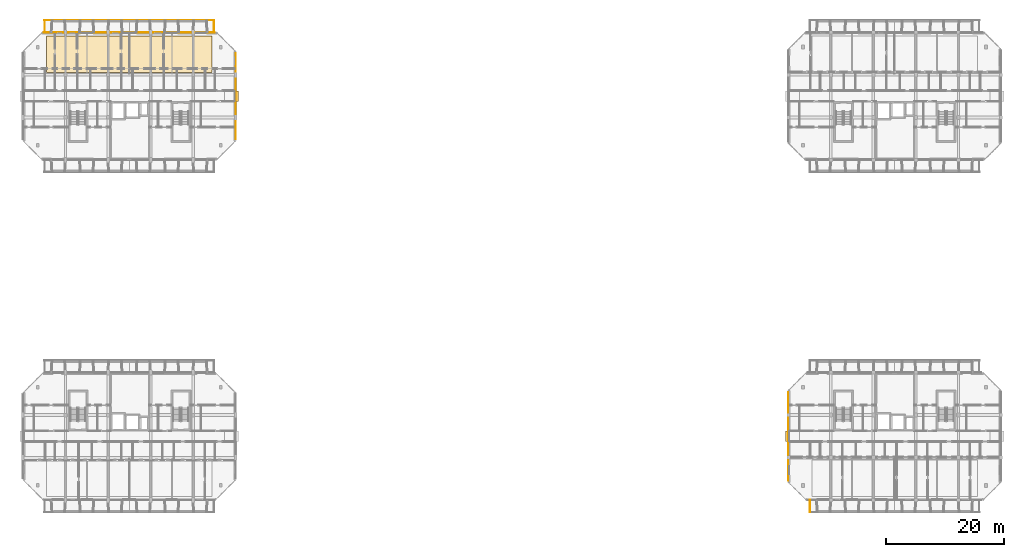
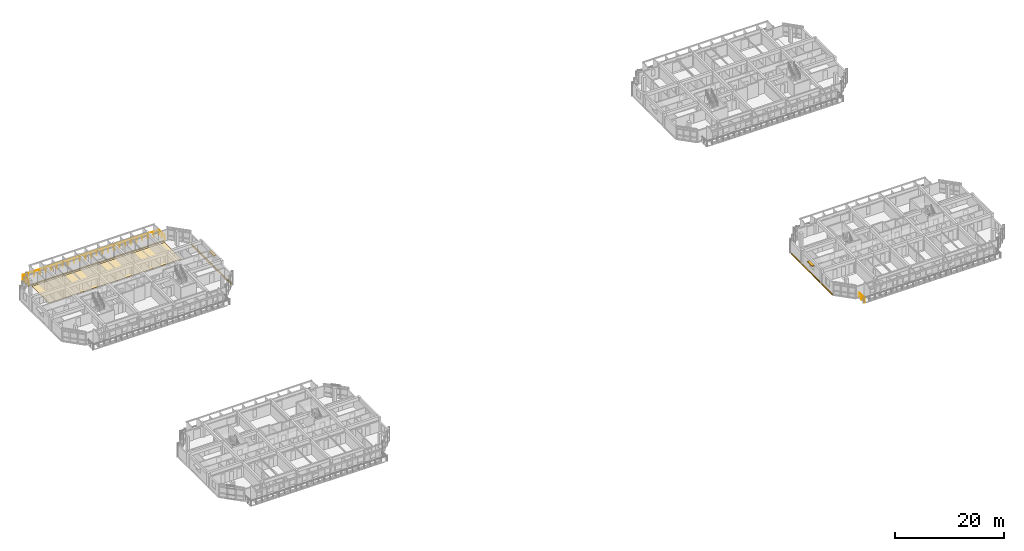
# One storey, part 39 of 44: 4 coverings, 4 railings, 2 shading devices.
"""IFC4 building model written with IfcOpenShell, lengths in metres."""

from ifc_helpers import new_model, si_unit, direction, frame, origin, origin_2d, place, context, subcontext, project, spatial, polyline, rectangle, circle, outline, extrude, material, layer, layer_set, type_object, element, save


model = new_model("IFC4")

# Units and contexts
model_context = context("Model", 3, precision=1e-05, world=origin(), true_north=direction((0.0, 1.0)))
body_context = subcontext(model_context, "Body", "Model", "MODEL_VIEW")
ifc_project = project(units=[si_unit("LENGTHUNIT", "METRE"), si_unit("AREAUNIT", "SQUARE_METRE"), si_unit("VOLUMEUNIT", "CUBIC_METRE"), si_unit("PLANEANGLEUNIT", "RADIAN"), si_unit("MASSUNIT", "GRAM", prefix="KILO")], contexts=[model_context])

# Site, building, storey
site_placement = place(None, origin())
site = spatial("IfcSite", under=ifc_project, at=site_placement, CompositionType="ELEMENT")
building_placement = place(site_placement, origin())
building = spatial("IfcBuilding", under=site, at=building_placement, Name="Ochrevale Crest", CompositionType="ELEMENT")
storey_placement = place(building_placement, frame((0.0, 0.0, 21.300048828125)))
storey = spatial("IfcBuildingStorey", under=building, at=storey_placement, Name="L06", CompositionType="ELEMENT", Elevation=21.300048828125)

# Coverings
ifc_material_1 = material(Name="Glazed terracotta rainscreen tile", Category="masonry")
ifc_layer_1 = layer(ifc_material_1, 0.048095703125)
ifc_layer_set_1 = layer_set([ifc_layer_1], Name="Glazed terracotta rainscreen tile")
covering_type_1 = type_object("IfcCoveringType", Name="COV-CLAD-TER", PredefinedType="CLADDING", material=ifc_layer_set_1)
covering_1_placement = place(storey_placement, frame((36.014404296875, 82.800048828125, -0.26025390625), z_axis=(0.0, 0.0, 1.0), x_axis=(0.0, 1.0, 0.0)))
element("IfcCovering", 1, at=covering_1_placement, inside=storey, type_object=covering_type_1, Name="Block B L06 terracotta slab-edge spandrel cladding", PredefinedType="CLADDING", context=body_context, shape_type="SweptSolid", body=[
    extrude(rectangle(XDim=14.60009765625, YDim=0.06005859375, at=origin_2d()), origin(), (0.0, 0.0, 1.0), 0.280029296875),
])
covering_2_placement = place(storey_placement, frame((18.0, 93.612548828125, -0.26025390625), z_axis=(0.0, 0.0, 1.0), x_axis=(-1.0, 0.0, 0.0)))
element("IfcCovering", 2, at=covering_2_placement, inside=storey, type_object=covering_type_1, Name="Block B L06 terracotta slab-edge spandrel cladding", PredefinedType="CLADDING", context=body_context, shape_type="SweptSolid", body=[
    extrude(rectangle(XDim=29.0, YDim=0.06005859375, at=origin_2d()), origin(), (0.0, 0.0, 1.0), 0.280029296875),
])
covering_3_placement = place(storey_placement, frame((129.58544921875, 25.199951171875, -0.26025390625), z_axis=(0.0, 0.0, 1.0), x_axis=(0.0, -1.0, 0.0)))
element("IfcCovering", 3, at=covering_3_placement, inside=storey, type_object=covering_type_1, Name="Block C L06 terracotta slab-edge spandrel cladding", PredefinedType="CLADDING", context=body_context, shape_type="SweptSolid", body=[
    extrude(rectangle(XDim=15.0, YDim=0.06005859375, at=origin_2d()), origin(), (0.0, 0.0, 1.0), 0.280029296875),
])
ifc_material_2 = material(Name="Engineered spotted-gum hardwood flooring", Category="wood")
ifc_layer_2 = layer(ifc_material_2, 0.02001953125)
ifc_layer_set_2 = layer_set([ifc_layer_2], Name="Engineered spotted-gum hardwood flooring")
covering_type_2 = type_object("IfcCoveringType", Name="COV-FLR-TIM", PredefinedType="FLOORING", material=ifc_layer_set_2)
covering_4_placement = place(storey_placement, origin())
element("IfcCovering", 4, at=covering_4_placement, inside=storey, type_object=covering_type_2, Name="Block B L06 spotted-gum apartment flooring", PredefinedType="FLOORING", context=body_context, shape_type="SweptSolid", body=[
    extrude(outline(polyline([(4.0, 86.800048828125), (32.0, 86.800048828125), (32.0, 93.0), (4.0, 93.0), (4.0, 86.800048828125)])), origin(), (0.0, 0.0, 1.0), 0.02001953125),
])

# Railings
ifc_material_3 = material(Name="Galvanised steel", Category="steel")
railing_type = type_object("IfcRailingType", Name="RL-BAL-1100", PredefinedType="BALUSTRADE", material=ifc_material_3)
railing_1_placement = place(storey_placement, frame((3.60009765625, 95.639892578125, 0.0)))
element("IfcRailing", 5, at=railing_1_placement, inside=storey, type_object=railing_type, Name="Block B L06 N balcony front balustrade", PredefinedType="BALUSTRADE", context=body_context, shape_type="SweptSolid", body=[
    extrude(circle(Radius=0.02392578125, at=origin_2d()), frame((0.0, 0.0, 1.0859375), z_axis=(1.0, 0.0, 0.0), x_axis=(0.0, 1.0, 0.0)), (0.0, 0.0, 1.0), 28.7998046875),
    extrude(circle(Radius=0.02099609375, at=origin_2d()), origin(), (0.0, 0.0, 1.0), 1.06201171875),
    extrude(circle(Radius=0.02099609375, at=origin_2d()), frame((1.199951171875, 0.0, 0.0)), (0.0, 0.0, 1.0), 1.06201171875),
    extrude(circle(Radius=0.02099609375, at=origin_2d()), frame((2.39990234375, 0.0, 0.0)), (0.0, 0.0, 1.0), 1.06201171875),
    extrude(circle(Radius=0.02099609375, at=origin_2d()), frame((3.60009765625, 0.0, 0.0)), (0.0, 0.0, 1.0), 1.06201171875),
    extrude(circle(Radius=0.02099609375, at=origin_2d()), frame((4.800048828125, 0.0, 0.0)), (0.0, 0.0, 1.0), 1.06201171875),
    extrude(circle(Radius=0.02099609375, at=origin_2d()), frame((6.0, 0.0, 0.0)), (0.0, 0.0, 1.0), 1.06201171875),
    extrude(circle(Radius=0.02099609375, at=origin_2d()), frame((7.199951171875, 0.0, 0.0)), (0.0, 0.0, 1.0), 1.06201171875),
    extrude(circle(Radius=0.02099609375, at=origin_2d()), frame((8.39990234375, 0.0, 0.0)), (0.0, 0.0, 1.0), 1.06201171875),
    extrude(circle(Radius=0.02099609375, at=origin_2d()), frame((9.599853515625, 0.0, 0.0)), (0.0, 0.0, 1.0), 1.06201171875),
    extrude(circle(Radius=0.02099609375, at=origin_2d()), frame((10.7998046875, 0.0, 0.0)), (0.0, 0.0, 1.0), 1.06201171875),
    extrude(circle(Radius=0.02099609375, at=origin_2d()), frame((12.0, 0.0, 0.0)), (0.0, 0.0, 1.0), 1.06201171875),
    extrude(circle(Radius=0.02099609375, at=origin_2d()), frame((13.199951171875, 0.0, 0.0)), (0.0, 0.0, 1.0), 1.06201171875),
    extrude(circle(Radius=0.02099609375, at=origin_2d()), frame((14.39990234375, 0.0, 0.0)), (0.0, 0.0, 1.0), 1.06201171875),
    extrude(circle(Radius=0.02099609375, at=origin_2d()), frame((15.599853515625, 0.0, 0.0)), (0.0, 0.0, 1.0), 1.06201171875),
    extrude(circle(Radius=0.02099609375, at=origin_2d()), frame((16.7998046875, 0.0, 0.0)), (0.0, 0.0, 1.0), 1.06201171875),
    extrude(circle(Radius=0.02099609375, at=origin_2d()), frame((18.0, 0.0, 0.0)), (0.0, 0.0, 1.0), 1.06201171875),
    extrude(circle(Radius=0.02099609375, at=origin_2d()), frame((19.199951171875, 0.0, 0.0)), (0.0, 0.0, 1.0), 1.06201171875),
    extrude(circle(Radius=0.02099609375, at=origin_2d()), frame((20.39990234375, 0.0, 0.0)), (0.0, 0.0, 1.0), 1.06201171875),
    extrude(circle(Radius=0.02099609375, at=origin_2d()), frame((21.599853515625, 0.0, 0.0)), (0.0, 0.0, 1.0), 1.06201171875),
    extrude(circle(Radius=0.02099609375, at=origin_2d()), frame((22.7998046875, 0.0, 0.0)), (0.0, 0.0, 1.0), 1.06201171875),
    extrude(circle(Radius=0.02099609375, at=origin_2d()), frame((23.999755859375, 0.0, 0.0)), (0.0, 0.0, 1.0), 1.06201171875),
    extrude(circle(Radius=0.02099609375, at=origin_2d()), frame((25.19970703125, 0.0, 0.0)), (0.0, 0.0, 1.0), 1.06201171875),
    extrude(circle(Radius=0.02099609375, at=origin_2d()), frame((26.39990234375, 0.0, 0.0)), (0.0, 0.0, 1.0), 1.06201171875),
    extrude(circle(Radius=0.02099609375, at=origin_2d()), frame((27.599853515625, 0.0, 0.0)), (0.0, 0.0, 1.0), 1.06201171875),
    extrude(circle(Radius=0.02099609375, at=origin_2d()), frame((28.7998046875, 0.0, 0.0)), (0.0, 0.0, 1.0), 1.06201171875),
])
for number, where, name in (
    (6, (3.659912109375, 93.60009765625, 0.0), "Block B L06 N-W balcony side guard"),
    (7, (32.340087890625, 93.60009765625, 0.0), "Block B L06 N-E balcony side guard"),
):
    element("IfcRailing", number, at=place(storey_placement, frame(where)), inside=storey, type_object=railing_type, Name=name, PredefinedType="BALUSTRADE", context=body_context, shape_type="SweptSolid", body=[
        extrude(circle(Radius=0.02392578125, at=origin_2d()), frame((0.0, 0.0, 1.0859375), z_axis=(0.0, 1.0, 0.0), x_axis=(-1.0, 0.0, 0.0)), (0.0, 0.0, 1.0), 2.039794921875),
        extrude(circle(Radius=0.02099609375, at=origin_2d()), origin(), (0.0, 0.0, 1.0), 1.06201171875),
        extrude(circle(Radius=0.02099609375, at=origin_2d()), frame((0.0, 1.02001953125, 0.0)), (0.0, 0.0, 1.0), 1.06201171875),
        extrude(circle(Radius=0.02099609375, at=origin_2d()), frame((0.0, 2.039794921875, 0.0)), (0.0, 0.0, 1.0), 1.06201171875),
    ])
railing_2_placement = place(storey_placement, frame((133.260009765625, 14.39990234375, 0.0)))
element("IfcRailing", 8, at=railing_2_placement, inside=storey, type_object=railing_type, Name="Block C L06 S-W balcony side guard", PredefinedType="BALUSTRADE", context=body_context, shape_type="SweptSolid", body=[
    extrude(circle(Radius=0.02392578125, at=origin_2d()), frame((0.0, 0.0, 1.0859375), z_axis=(0.0, -1.0, 0.0), x_axis=(1.0, 0.0, 0.0)), (0.0, 0.0, 1.0), 2.039794921875),
    extrude(circle(Radius=0.02099609375, at=origin_2d()), origin(), (0.0, 0.0, 1.0), 1.06201171875),
    extrude(circle(Radius=0.02099609375, at=origin_2d()), frame((0.0, -1.02001953125, 0.0)), (0.0, 0.0, 1.0), 1.06201171875),
    extrude(circle(Radius=0.02099609375, at=origin_2d()), frame((0.0, -2.039794921875, 0.0)), (0.0, 0.0, 1.0), 1.06201171875),
])

# Shading devices
ifc_material_4 = material(Name="Anodised aluminium 6063-T5", Category="aluminium")
shading_device_type = type_object("IfcShadingDeviceType", Name="SHD-SUNSHADE-OC", PredefinedType="USERDEFINED", material=ifc_material_4)
for number, where, z_axis, x_axis, name in (
    (9, (36.239990234375, 82.800048828125, 2.2099609375), (0.0, 0.0, 1.0), (1.0, 0.0, 0.0), "Block B L06 gable window sunshade E"),
    (10, (129.360107421875, 25.199951171875, 2.2099609375), (0.0, 0.0, 1.0), (1.0, 0.0, 0.0), "Block C L06 gable window sunshade W"),
):
    element("IfcShadingDevice", number, at=place(storey_placement, frame(where, z_axis=z_axis, x_axis=x_axis)), inside=storey, type_object=shading_device_type, Name=name, ObjectType="HORIZONTAL SUNSHADE", PredefinedType="USERDEFINED", context=body_context, shape_type="SweptSolid", body=[
        extrude(rectangle(XDim=0.550048828125, YDim=1.800048828125, at=origin_2d()), origin(), (0.0, 0.0, 1.0), 0.139892578125),
    ])

save(model, "model.ifc")
